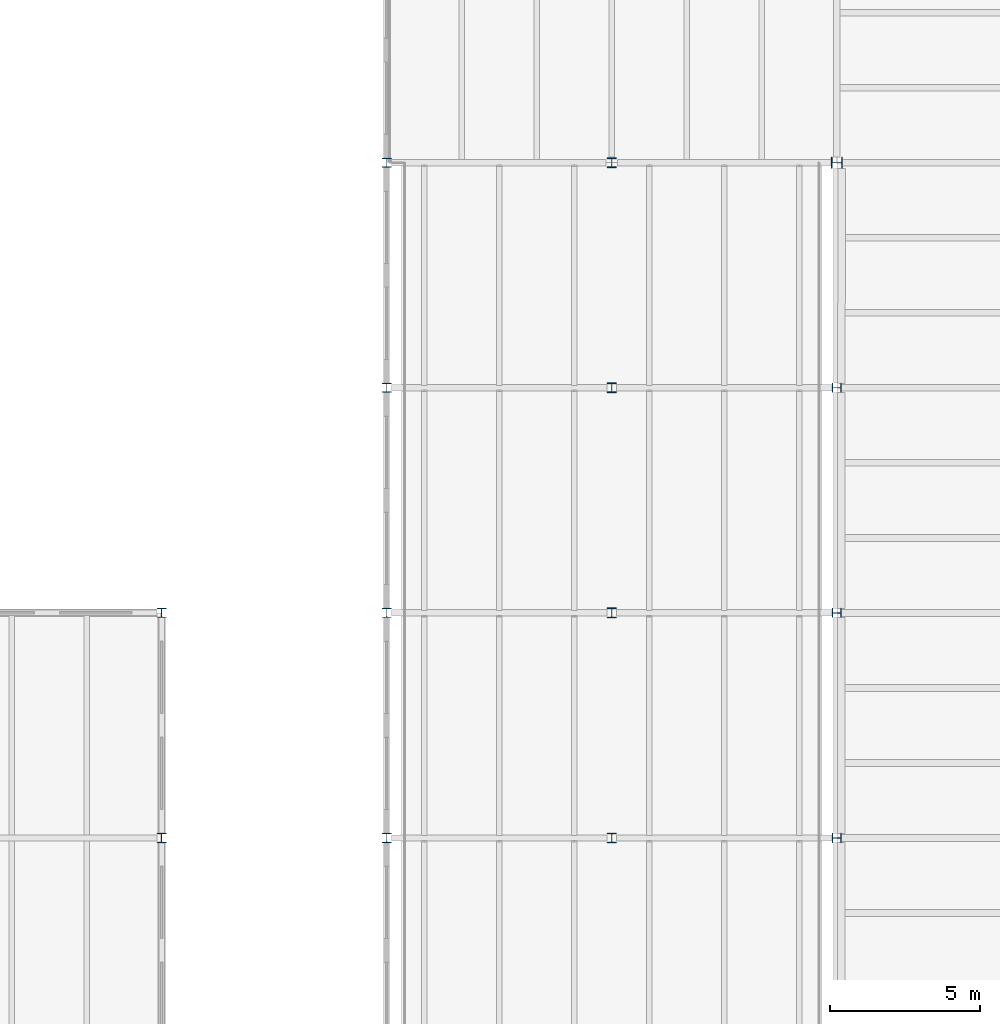
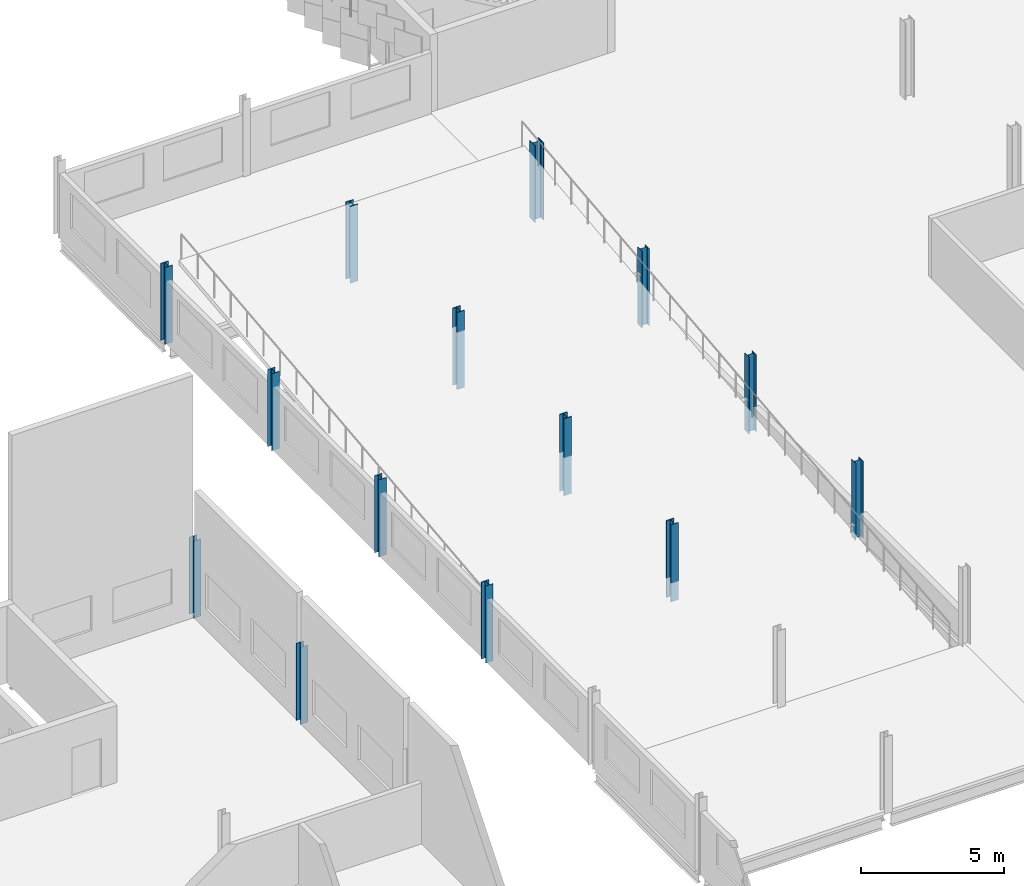
# One storey, part 16 of 198: 14 columns.
"""IFC4 building model written with IfcOpenShell, lengths in metres."""

from ifc_helpers import new_model, si_unit, direction, frame, origin, origin_2d, place, context, subcontext, project, spatial, i_section, extrude, material, material_profile, profile_set, type_object, element, save


model = new_model("IFC4")

# Units and contexts
model_context = context("Model", 3, precision=1e-05, world=origin(), true_north=direction((0.0, 1.0)))
body_context = subcontext(model_context, "Body", "Model", "MODEL_VIEW")
ifc_project = project(units=[si_unit("LENGTHUNIT", "METRE"), si_unit("AREAUNIT", "SQUARE_METRE"), si_unit("VOLUMEUNIT", "CUBIC_METRE"), si_unit("PLANEANGLEUNIT", "RADIAN"), si_unit("MASSUNIT", "GRAM", prefix="KILO")], contexts=[model_context])

# Site, building, storey
site_placement = place(None, origin())
site = spatial("IfcSite", under=ifc_project, at=site_placement, CompositionType="ELEMENT")
building_placement = place(site_placement, origin())
building = spatial("IfcBuilding", under=site, at=building_placement, Name="Parallax Yard Mobility Hub", CompositionType="ELEMENT")
storey_placement = place(building_placement, frame((0.0, 0.0, 6.60009765625)))
storey = spatial("IfcBuildingStorey", under=building, at=storey_placement, Name="L02", CompositionType="ELEMENT", Elevation=6.60009765625)

# Columns
ifc_material = material(Name="Steel ASTM A992", Category="steel")
ifc_material_profile_1 = material_profile(ifc_material, i_section(OverallWidth=0.31005859375, OverallDepth=0.327880859375, WebThickness=0.015380859375, FlangeThickness=0.025146484375, FilletRadius=0.015380859375, at=origin_2d()), Name="W310x158")
ifc_profile_set_1 = profile_set([ifc_material_profile_1], Name="Steel ASTM A992")
column_type_1 = type_object("IfcColumnType", Name="W310x158 column", PredefinedType="COLUMN", material=ifc_profile_set_1)
for number, where, z_axis, x_axis, name in (
    (1, (187.5, 45.0, 0.0), (0.0, 0.0, 1.0), (1.0, 0.0, 0.0), "Column C6 level L02 at G/26 of ramp house"),
    (2, (187.5, 52.5, 0.0), (0.0, 0.0, 1.0), (1.0, 0.0, 0.0), "Column C6 level L02 at H/26 of ramp house"),
    (3, (187.5, 60.0, 0.0), (0.0, 0.0, 1.0), (1.0, 0.0, 0.0), "Column C6 level L02 at J/26 of ramp house"),
    (4, (187.5, 67.5, 0.0), (0.0, 0.0, 1.0), (1.0, 0.0, 0.0), "Column C6 level L02 at K/26 of ramp house"),
):
    element("IfcColumn", number, at=place(storey_placement, frame(where, z_axis=z_axis, x_axis=x_axis)), inside=storey, type_object=column_type_1, Name=name, PredefinedType="COLUMN", context=body_context, shape_type="SweptSolid", body=[
        extrude(i_section(OverallWidth=0.31005859375, OverallDepth=0.327880859375, WebThickness=0.015380859375, FlangeThickness=0.025146484375, FilletRadius=0.015380859375, at=origin_2d()), origin(), (0.0, 0.0, 1.0), 3.2998046875),
    ])
ifc_material_profile_2 = material_profile(ifc_material, i_section(OverallWidth=0.304931640625, OverallDepth=0.306884765625, WebThickness=0.010009765625, FlangeThickness=0.015380859375, FilletRadius=0.01513671875, at=origin_2d()), Name="W310x97")
ifc_profile_set_2 = profile_set([ifc_material_profile_2], Name="Steel ASTM A992")
column_type_2 = type_object("IfcColumnType", Name="W310x97 column", PredefinedType="COLUMN", material=ifc_profile_set_2)
for number, where, z_axis, x_axis, name in (
    (5, (180.0, 45.0, 0.0), (0.0, 0.0, 1.0), (1.0, 0.0, 0.0), "Column C1 level L02 at G/25 of ramp house"),
    (6, (180.0, 52.5, 0.0), (0.0, 0.0, 1.0), (1.0, 0.0, 0.0), "Column C1 level L02 at H/25 of ramp house"),
    (7, (180.0, 60.0, 0.0), (0.0, 0.0, 1.0), (1.0, 0.0, 0.0), "Column C1 level L02 at J/25 of ramp house"),
    (8, (180.0, 67.5, 0.0), (0.0, 0.0, 1.0), (1.0, 0.0, 0.0), "Column C1 level L02 at K/25 of ramp house"),
    (9, (195.0, 60.0, 0.0), (0.0, 0.0, 1.0), (0.0, 1.0, 0.0), "Column C1 level L02 at J/27 of ramped parking decks"),
    (10, (195.0, 52.5, 0.0), (0.0, 0.0, 1.0), (0.0, 1.0, 0.0), "Column C1 level L02 at H/27 of ramped parking decks"),
    (11, (195.0, 45.0, 0.0), (0.0, 0.0, 1.0), (0.0, 1.0, 0.0), "Column C1 level L02 at G/27 of ramped parking decks"),
    (12, (172.5, 45.0, 0.0), (0.0, 0.0, 1.0), (1.0, 0.0, 0.0), "Column C1 level L02 at G/24 of bicycle and shared-mobility hall"),
    (13, (172.5, 52.5, 0.0), (0.0, 0.0, 1.0), (1.0, 0.0, 0.0), "Column C1 level L02 at H/24 of bicycle and shared-mobility hall"),
):
    element("IfcColumn", number, at=place(storey_placement, frame(where, z_axis=z_axis, x_axis=x_axis)), inside=storey, type_object=column_type_2, Name=name, PredefinedType="COLUMN", context=body_context, shape_type="SweptSolid", body=[
        extrude(i_section(OverallWidth=0.304931640625, OverallDepth=0.306884765625, WebThickness=0.010009765625, FlangeThickness=0.015380859375, FilletRadius=0.01513671875, at=origin_2d()), origin(), (0.0, 0.0, 1.0), 3.2998046875),
    ])
ifc_material_profile_3 = material_profile(ifc_material, i_section(OverallWidth=0.373046875, OverallDepth=0.367919921875, WebThickness=0.014892578125, FlangeThickness=0.02392578125, FilletRadius=0.01513671875, at=origin_2d()), Name="W360x179")
ifc_profile_set_3 = profile_set([ifc_material_profile_3], Name="Steel ASTM A992")
column_type_3 = type_object("IfcColumnType", Name="W360x179 column", PredefinedType="COLUMN", material=ifc_profile_set_3)
column_placement = place(storey_placement, frame((195.0, 67.5, 0.0), z_axis=(0.0, 0.0, 1.0), x_axis=(0.0, 1.0, 0.0)))
element("IfcColumn", 14, at=column_placement, inside=storey, type_object=column_type_3, Name="Column C7 level L02 at K/27 of ramped parking decks", PredefinedType="COLUMN", context=body_context, shape_type="SweptSolid", body=[
    extrude(i_section(OverallWidth=0.373046875, OverallDepth=0.367919921875, WebThickness=0.014892578125, FlangeThickness=0.02392578125, FilletRadius=0.01513671875, at=origin_2d()), origin(), (0.0, 0.0, 1.0), 3.2998046875),
])

save(model, "model.ifc")
